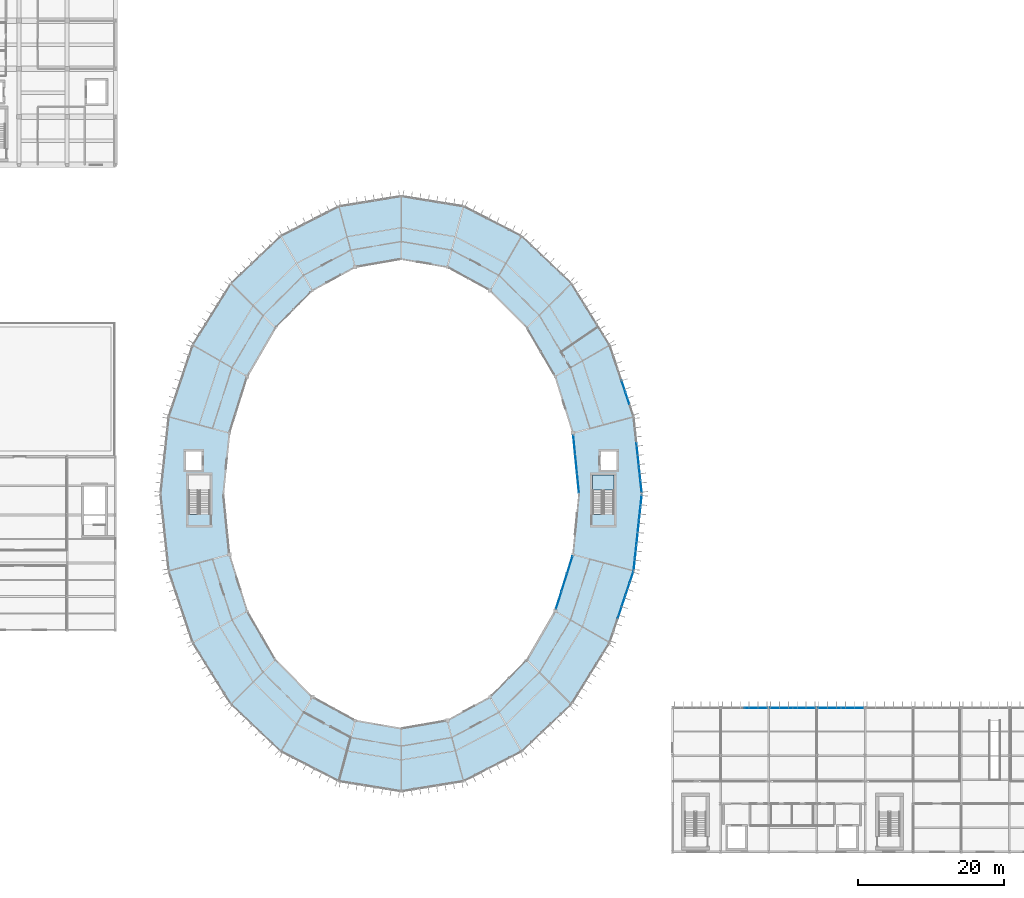
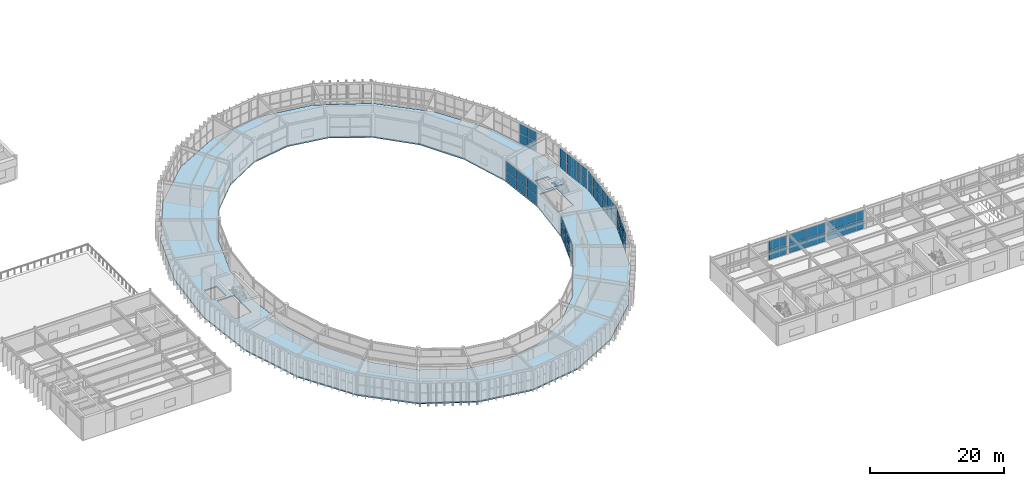
# One storey, part 92 of 130: 54 plates, 2 slabs, 10 elements without a shape of their own.
"""IFC4 building model written with IfcOpenShell, lengths in metres."""

from ifc_helpers import new_model, si_unit, direction, frame, origin, origin_2d, place, context, subcontext, project, spatial, polyline, rectangle, outline, extrude, material, layer, layer_set, type_object, element, aggregate, save


model = new_model("IFC4")

# Units and contexts
model_context = context("Model", 3, precision=1e-05, world=origin(), true_north=direction((0.0, 1.0)))
body_context = subcontext(model_context, "Body", "Model", "MODEL_VIEW")
ifc_project = project(units=[si_unit("LENGTHUNIT", "METRE"), si_unit("AREAUNIT", "SQUARE_METRE"), si_unit("VOLUMEUNIT", "CUBIC_METRE"), si_unit("PLANEANGLEUNIT", "RADIAN"), si_unit("MASSUNIT", "GRAM", prefix="KILO")], contexts=[model_context])

# Site, building, storey
site_placement = place(None, origin())
site = spatial("IfcSite", under=ifc_project, at=site_placement, CompositionType="ELEMENT")
building_placement = place(site_placement, origin())
building = spatial("IfcBuilding", under=site, at=building_placement, Name="Karori Crest Natural Sciences Institute", CompositionType="ELEMENT")
storey_placement = place(building_placement, frame((0.0, 0.0, 17.5)))
storey = spatial("IfcBuildingStorey", under=building, at=storey_placement, Name="L04", CompositionType="ELEMENT", Elevation=17.5)

# Curtain wall, plates
ifc_material_1 = material(Name="Anodised architectural aluminium 6063-T6", Category="aluminium")
curtain_wall_type_1 = type_object("IfcCurtainWallType", Name="CWT-01", PredefinedType="NOTDEFINED", material=ifc_material_1)
curtain_wall_1_placement = place(storey_placement, origin())
curtain_wall_1 = element("IfcCurtainWall", 1, at=curtain_wall_1_placement, inside=storey, type_object=curtain_wall_type_1, Name="Curtain wall CW-0136", PredefinedType="NOTDEFINED")
ifc_material_2 = material(Name="Double low-E laminated glass", Category="glass")
ifc_layer_1 = layer(ifc_material_2, 0.02392578125, Name="Double low-E laminated glass")
ifc_layer_set_1 = layer_set([ifc_layer_1], Name="Double low-E laminated glass")
plate_type_1 = type_object("IfcPlateType", Name="CWP-01", PredefinedType="CURTAIN_PANEL", material=ifc_layer_set_1)
plate_1_placement = place(storey_placement, frame((98.74609375, 56.040283203125, 0.06494140625), z_axis=(0.0, 0.0, 1.0), x_axis=(0.105884496939, -0.994378435661, 0.0)))
plate_1 = element("IfcPlate", 2, at=plate_1_placement, type_object=plate_type_1, Name="CW-0136 panel 3.1", PredefinedType="CURTAIN_PANEL", context=body_context, shape_type="SweptSolid", body=[
    extrude(rectangle(XDim=1.66259765625, YDim=0.02392578125, at=origin_2d()), origin(), (0.0, 0.0, 1.0), 1.715087890625),
])
plate_2_placement = place(storey_placement, frame((98.74609375, 56.040283203125, 1.8447265625), z_axis=(0.0, 0.0, 1.0), x_axis=(0.105884496939, -0.994378435661, 0.0)))
plate_2 = element("IfcPlate", 3, at=plate_2_placement, type_object=plate_type_1, Name="CW-0136 panel 3.2", PredefinedType="CURTAIN_PANEL", context=body_context, shape_type="SweptSolid", body=[
    extrude(rectangle(XDim=1.66259765625, YDim=0.02392578125, at=origin_2d()), origin(), (0.0, 0.0, 1.0), 1.715087890625),
])
plate_3_placement = place(storey_placement, frame((98.92919921875, 54.322509765625, 0.06494140625), z_axis=(0.0, 0.0, 1.0), x_axis=(0.105884496939, -0.994378435661, 0.0)))
plate_3 = element("IfcPlate", 4, at=plate_3_placement, type_object=plate_type_1, Name="CW-0136 panel 4.1", PredefinedType="CURTAIN_PANEL", context=body_context, shape_type="SweptSolid", body=[
    extrude(rectangle(XDim=1.66259765625, YDim=0.02392578125, at=origin_2d()), origin(), (0.0, 0.0, 1.0), 1.715087890625),
])
plate_4_placement = place(storey_placement, frame((98.92919921875, 54.322509765625, 1.8447265625), z_axis=(0.0, 0.0, 1.0), x_axis=(0.105884496939, -0.994378435661, 0.0)))
plate_4 = element("IfcPlate", 5, at=plate_4_placement, type_object=plate_type_1, Name="CW-0136 panel 4.2", PredefinedType="CURTAIN_PANEL", context=body_context, shape_type="SweptSolid", body=[
    extrude(rectangle(XDim=1.66259765625, YDim=0.02392578125, at=origin_2d()), origin(), (0.0, 0.0, 1.0), 1.715087890625),
])
plate_5_placement = place(storey_placement, frame((99.112060546875, 52.604736328125, 0.06494140625), z_axis=(0.0, 0.0, 1.0), x_axis=(0.105884496939, -0.994378435661, 0.0)))
plate_5 = element("IfcPlate", 6, at=plate_5_placement, type_object=plate_type_1, Name="CW-0136 panel 5.1", PredefinedType="CURTAIN_PANEL", context=body_context, shape_type="SweptSolid", body=[
    extrude(rectangle(XDim=1.66259765625, YDim=0.02392578125, at=origin_2d()), origin(), (0.0, 0.0, 1.0), 1.715087890625),
])
plate_6_placement = place(storey_placement, frame((99.112060546875, 52.604736328125, 1.8447265625), z_axis=(0.0, 0.0, 1.0), x_axis=(0.105884496939, -0.994378435661, 0.0)))
plate_6 = element("IfcPlate", 7, at=plate_6_placement, type_object=plate_type_1, Name="CW-0136 panel 5.2", PredefinedType="CURTAIN_PANEL", context=body_context, shape_type="SweptSolid", body=[
    extrude(rectangle(XDim=1.66259765625, YDim=0.02392578125, at=origin_2d()), origin(), (0.0, 0.0, 1.0), 1.715087890625),
])
plate_7_placement = place(storey_placement, frame((99.293212890625, 50.903076171875, 0.06494140625), z_axis=(0.0, 0.0, 1.0), x_axis=(0.105884496939, -0.994378435661, 0.0)))
plate_7 = element("IfcPlate", 8, at=plate_7_placement, type_object=plate_type_1, Name="CW-0136 panel 6.1", PredefinedType="CURTAIN_PANEL", context=body_context, shape_type="SweptSolid", body=[
    extrude(rectangle(XDim=1.630126953125, YDim=0.02392578125, at=origin_2d()), origin(), (0.0, 0.0, 1.0), 1.715087890625),
])
plate_8_placement = place(storey_placement, frame((99.293212890625, 50.903076171875, 1.8447265625), z_axis=(0.0, 0.0, 1.0), x_axis=(0.105884496939, -0.994378435661, 0.0)))
plate_8 = element("IfcPlate", 9, at=plate_8_placement, type_object=plate_type_1, Name="CW-0136 panel 6.2", PredefinedType="CURTAIN_PANEL", context=body_context, shape_type="SweptSolid", body=[
    extrude(rectangle(XDim=1.630126953125, YDim=0.02392578125, at=origin_2d()), origin(), (0.0, 0.0, 1.0), 1.715087890625),
])
aggregate(curtain_wall_1, [plate_1, plate_2, plate_3, plate_4, plate_5, plate_6, plate_7, plate_8])

curtain_wall_type_2 = type_object("IfcCurtainWallType", Name="CWT-11", PredefinedType="NOTDEFINED", material=ifc_material_1)
curtain_wall_2_placement = place(storey_placement, origin())
curtain_wall_2 = element("IfcCurtainWall", 10, at=curtain_wall_2_placement, inside=storey, type_object=curtain_wall_type_2, Name="Curtain wall CW-0137", PredefinedType="NOTDEFINED")
plate_9_placement = place(storey_placement, frame((90.65576171875, 51.345458984375, 0.06005859375), z_axis=(0.0, 0.0, 1.0), x_axis=(-0.099268494275, 0.995060684604, 0.0)))
plate_9 = element("IfcPlate", 11, at=plate_9_placement, type_object=plate_type_1, Name="CW-0137 panel 1.1", PredefinedType="CURTAIN_PANEL", context=body_context, shape_type="SweptSolid", body=[
    extrude(rectangle(XDim=2.568359375, YDim=0.02392578125, at=origin_2d()), origin(), (0.0, 0.0, 1.0), 1.735107421875),
])
plate_10_placement = place(storey_placement, frame((90.65576171875, 51.345458984375, 1.85498046875), z_axis=(0.0, 0.0, 1.0), x_axis=(-0.099268494275, 0.995060684604, 0.0)))
plate_10 = element("IfcPlate", 12, at=plate_10_placement, type_object=plate_type_1, Name="CW-0137 panel 1.2", PredefinedType="CURTAIN_PANEL", context=body_context, shape_type="SweptSolid", body=[
    extrude(rectangle(XDim=2.568359375, YDim=0.02392578125, at=origin_2d()), origin(), (0.0, 0.0, 1.0), 1.735107421875),
])
plate_11_placement = place(storey_placement, frame((90.392822265625, 53.98193359375, 0.06005859375), z_axis=(0.0, 0.0, 1.0), x_axis=(-0.099268494275, 0.995060684604, 0.0)))
plate_11 = element("IfcPlate", 13, at=plate_11_placement, type_object=plate_type_1, Name="CW-0137 panel 2.1", PredefinedType="CURTAIN_PANEL", context=body_context, shape_type="SweptSolid", body=[
    extrude(rectangle(XDim=2.600830078125, YDim=0.02392578125, at=origin_2d()), origin(), (0.0, 0.0, 1.0), 1.735107421875),
])
plate_12_placement = place(storey_placement, frame((90.392822265625, 53.98193359375, 1.85498046875), z_axis=(0.0, 0.0, 1.0), x_axis=(-0.099268494275, 0.995060684604, 0.0)))
plate_12 = element("IfcPlate", 14, at=plate_12_placement, type_object=plate_type_1, Name="CW-0137 panel 2.2", PredefinedType="CURTAIN_PANEL", context=body_context, shape_type="SweptSolid", body=[
    extrude(rectangle(XDim=2.600830078125, YDim=0.02392578125, at=origin_2d()), origin(), (0.0, 0.0, 1.0), 1.735107421875),
])
plate_13_placement = place(storey_placement, frame((90.129638671875, 56.618408203125, 0.06005859375), z_axis=(0.0, 0.0, 1.0), x_axis=(-0.099268494275, 0.995060684604, 0.0)))
plate_13 = element("IfcPlate", 15, at=plate_13_placement, type_object=plate_type_1, Name="CW-0137 panel 3.1", PredefinedType="CURTAIN_PANEL", context=body_context, shape_type="SweptSolid", body=[
    extrude(rectangle(XDim=2.568359375, YDim=0.02392578125, at=origin_2d()), origin(), (0.0, 0.0, 1.0), 1.735107421875),
])
plate_14_placement = place(storey_placement, frame((90.129638671875, 56.618408203125, 1.85498046875), z_axis=(0.0, 0.0, 1.0), x_axis=(-0.099268494275, 0.995060684604, 0.0)))
plate_14 = element("IfcPlate", 16, at=plate_14_placement, type_object=plate_type_1, Name="CW-0137 panel 3.2", PredefinedType="CURTAIN_PANEL", context=body_context, shape_type="SweptSolid", body=[
    extrude(rectangle(XDim=2.568359375, YDim=0.02392578125, at=origin_2d()), origin(), (0.0, 0.0, 1.0), 1.735107421875),
])
aggregate(curtain_wall_2, [plate_9, plate_10, plate_11, plate_12, plate_13, plate_14])

curtain_wall_type_3 = type_object("IfcCurtainWallType", Name="CWT-13", PredefinedType="NOTDEFINED", material=ifc_material_1)
curtain_wall_3_placement = place(storey_placement, origin())
curtain_wall_3 = element("IfcCurtainWall", 17, at=curtain_wall_3_placement, inside=storey, type_object=curtain_wall_type_3, Name="Curtain wall CW-0170", PredefinedType="NOTDEFINED")
plate_15_placement = place(storey_placement, frame((88.003173828125, 35.304443359375, 0.06005859375), z_axis=(0.0, 0.0, 1.0), x_axis=(0.299475254154, 0.954104067778, 0.0)))
plate_15 = element("IfcPlate", 18, at=plate_15_placement, type_object=plate_type_1, Name="CW-0170 panel 1.1", PredefinedType="CURTAIN_PANEL", context=body_context, shape_type="SweptSolid", body=[
    extrude(rectangle(XDim=2.451171875, YDim=0.02392578125, at=origin_2d()), origin(), (0.0, 0.0, 1.0), 1.735107421875),
])
plate_16_placement = place(storey_placement, frame((88.003173828125, 35.304443359375, 1.85498046875), z_axis=(0.0, 0.0, 1.0), x_axis=(0.299475254154, 0.954104067778, 0.0)))
plate_16 = element("IfcPlate", 19, at=plate_16_placement, type_object=plate_type_1, Name="CW-0170 panel 1.2", PredefinedType="CURTAIN_PANEL", context=body_context, shape_type="SweptSolid", body=[
    extrude(rectangle(XDim=2.451171875, YDim=0.02392578125, at=origin_2d()), origin(), (0.0, 0.0, 1.0), 1.735107421875),
])
plate_17_placement = place(storey_placement, frame((88.761474609375, 37.720458984375, 0.06005859375), z_axis=(0.0, 0.0, 1.0), x_axis=(0.299475254154, 0.954104067778, 0.0)))
plate_17 = element("IfcPlate", 20, at=plate_17_placement, type_object=plate_type_1, Name="CW-0170 panel 2.1", PredefinedType="CURTAIN_PANEL", context=body_context, shape_type="SweptSolid", body=[
    extrude(rectangle(XDim=2.483642578125, YDim=0.02392578125, at=origin_2d()), origin(), (0.0, 0.0, 1.0), 1.735107421875),
])
plate_18_placement = place(storey_placement, frame((88.761474609375, 37.720458984375, 1.85498046875), z_axis=(0.0, 0.0, 1.0), x_axis=(0.299475254154, 0.954104067778, 0.0)))
plate_18 = element("IfcPlate", 21, at=plate_18_placement, type_object=plate_type_1, Name="CW-0170 panel 2.2", PredefinedType="CURTAIN_PANEL", context=body_context, shape_type="SweptSolid", body=[
    extrude(rectangle(XDim=2.483642578125, YDim=0.02392578125, at=origin_2d()), origin(), (0.0, 0.0, 1.0), 1.735107421875),
])
plate_19_placement = place(storey_placement, frame((89.52001953125, 40.136474609375, 0.06005859375), z_axis=(0.0, 0.0, 1.0), x_axis=(0.299475254154, 0.954104067778, 0.0)))
plate_19 = element("IfcPlate", 22, at=plate_19_placement, type_object=plate_type_1, Name="CW-0170 panel 3.1", PredefinedType="CURTAIN_PANEL", context=body_context, shape_type="SweptSolid", body=[
    extrude(rectangle(XDim=2.451171875, YDim=0.02392578125, at=origin_2d()), origin(), (0.0, 0.0, 1.0), 1.735107421875),
])
plate_20_placement = place(storey_placement, frame((89.52001953125, 40.136474609375, 1.85498046875), z_axis=(0.0, 0.0, 1.0), x_axis=(0.299475254154, 0.954104067778, 0.0)))
plate_20 = element("IfcPlate", 23, at=plate_20_placement, type_object=plate_type_1, Name="CW-0170 panel 3.2", PredefinedType="CURTAIN_PANEL", context=body_context, shape_type="SweptSolid", body=[
    extrude(rectangle(XDim=2.451171875, YDim=0.02392578125, at=origin_2d()), origin(), (0.0, 0.0, 1.0), 1.735107421875),
])
aggregate(curtain_wall_3, [plate_15, plate_16, plate_17, plate_18, plate_19, plate_20])

curtain_wall_type_4 = type_object("IfcCurtainWallType", Name="CWT-20", PredefinedType="NOTDEFINED", material=ifc_material_1)
curtain_wall_4_placement = place(storey_placement, origin())
curtain_wall_4 = element("IfcCurtainWall", 24, at=curtain_wall_4_placement, inside=storey, type_object=curtain_wall_type_4, Name="Curtain wall CW-0332", PredefinedType="NOTDEFINED")
plate_21_placement = place(storey_placement, frame((115.056884765625, 20.5400390625, 0.06005859375), z_axis=(0.0, 0.0, 1.0), x_axis=(1.0, 0.0, 0.0)))
plate_21 = element("IfcPlate", 25, at=plate_21_placement, type_object=plate_type_1, Name="CW-0332 panel 2.1", PredefinedType="CURTAIN_PANEL", context=body_context, shape_type="SweptSolid", body=[
    extrude(rectangle(XDim=3.049072265625, YDim=0.02392578125, at=origin_2d()), origin(), (0.0, 0.0, 1.0), 1.66259765625),
])
plate_22_placement = place(storey_placement, frame((115.056884765625, 20.5400390625, 1.782470703125), z_axis=(0.0, 0.0, 1.0), x_axis=(1.0, 0.0, 0.0)))
plate_22 = element("IfcPlate", 26, at=plate_22_placement, type_object=plate_type_1, Name="CW-0332 panel 2.2", PredefinedType="CURTAIN_PANEL", context=body_context, shape_type="SweptSolid", body=[
    extrude(rectangle(XDim=3.049072265625, YDim=0.02392578125, at=origin_2d()), origin(), (0.0, 0.0, 1.0), 1.66259765625),
])
aggregate(curtain_wall_4, [plate_21, plate_22])

curtain_wall_5_placement = place(storey_placement, origin())
curtain_wall_5 = element("IfcCurtainWall", 27, at=curtain_wall_5_placement, inside=storey, type_object=curtain_wall_type_4, Name="Curtain wall CW-0333", PredefinedType="NOTDEFINED")
plate_23_placement = place(storey_placement, frame((118.54296875, 20.5400390625, 0.06005859375), z_axis=(0.0, 0.0, 1.0), x_axis=(1.0, 0.0, 0.0)))
plate_23 = element("IfcPlate", 28, at=plate_23_placement, type_object=plate_type_1, Name="CW-0333 panel 1.1", PredefinedType="CURTAIN_PANEL", context=body_context, shape_type="SweptSolid", body=[
    extrude(rectangle(XDim=3.049072265625, YDim=0.02392578125, at=origin_2d()), origin(), (0.0, 0.0, 1.0), 1.66259765625),
])
plate_24_placement = place(storey_placement, frame((118.54296875, 20.5400390625, 1.782470703125), z_axis=(0.0, 0.0, 1.0), x_axis=(1.0, 0.0, 0.0)))
plate_24 = element("IfcPlate", 29, at=plate_24_placement, type_object=plate_type_1, Name="CW-0333 panel 1.2", PredefinedType="CURTAIN_PANEL", context=body_context, shape_type="SweptSolid", body=[
    extrude(rectangle(XDim=3.049072265625, YDim=0.02392578125, at=origin_2d()), origin(), (0.0, 0.0, 1.0), 1.66259765625),
])
plate_25_placement = place(storey_placement, frame((121.656982421875, 20.5400390625, 0.06005859375), z_axis=(0.0, 0.0, 1.0), x_axis=(1.0, 0.0, 0.0)))
plate_25 = element("IfcPlate", 30, at=plate_25_placement, type_object=plate_type_1, Name="CW-0333 panel 2.1", PredefinedType="CURTAIN_PANEL", context=body_context, shape_type="SweptSolid", body=[
    extrude(rectangle(XDim=3.049072265625, YDim=0.02392578125, at=origin_2d()), origin(), (0.0, 0.0, 1.0), 1.66259765625),
])
plate_26_placement = place(storey_placement, frame((121.656982421875, 20.5400390625, 1.782470703125), z_axis=(0.0, 0.0, 1.0), x_axis=(1.0, 0.0, 0.0)))
plate_26 = element("IfcPlate", 31, at=plate_26_placement, type_object=plate_type_1, Name="CW-0333 panel 2.2", PredefinedType="CURTAIN_PANEL", context=body_context, shape_type="SweptSolid", body=[
    extrude(rectangle(XDim=3.049072265625, YDim=0.02392578125, at=origin_2d()), origin(), (0.0, 0.0, 1.0), 1.66259765625),
])
aggregate(curtain_wall_5, [plate_23, plate_24, plate_25, plate_26])

curtain_wall_6_placement = place(storey_placement, origin())
curtain_wall_6 = element("IfcCurtainWall", 32, at=curtain_wall_6_placement, inside=storey, type_object=curtain_wall_type_4, Name="Curtain wall CW-0334", PredefinedType="NOTDEFINED")
plate_27_placement = place(storey_placement, frame((125.14306640625, 20.5400390625, 0.06005859375), z_axis=(0.0, 0.0, 1.0), x_axis=(1.0, 0.0, 0.0)))
plate_27 = element("IfcPlate", 33, at=plate_27_placement, type_object=plate_type_1, Name="CW-0334 panel 1.1", PredefinedType="CURTAIN_PANEL", context=body_context, shape_type="SweptSolid", body=[
    extrude(rectangle(XDim=3.049072265625, YDim=0.02392578125, at=origin_2d()), origin(), (0.0, 0.0, 1.0), 1.66259765625),
])
plate_28_placement = place(storey_placement, frame((125.14306640625, 20.5400390625, 1.782470703125), z_axis=(0.0, 0.0, 1.0), x_axis=(1.0, 0.0, 0.0)))
plate_28 = element("IfcPlate", 34, at=plate_28_placement, type_object=plate_type_1, Name="CW-0334 panel 1.2", PredefinedType="CURTAIN_PANEL", context=body_context, shape_type="SweptSolid", body=[
    extrude(rectangle(XDim=3.049072265625, YDim=0.02392578125, at=origin_2d()), origin(), (0.0, 0.0, 1.0), 1.66259765625),
])
plate_29_placement = place(storey_placement, frame((128.257080078125, 20.5400390625, 0.06005859375), z_axis=(0.0, 0.0, 1.0), x_axis=(1.0, 0.0, 0.0)))
plate_29 = element("IfcPlate", 35, at=plate_29_placement, type_object=plate_type_1, Name="CW-0334 panel 2.1", PredefinedType="CURTAIN_PANEL", context=body_context, shape_type="SweptSolid", body=[
    extrude(rectangle(XDim=3.049072265625, YDim=0.02392578125, at=origin_2d()), origin(), (0.0, 0.0, 1.0), 1.66259765625),
])
plate_30_placement = place(storey_placement, frame((128.257080078125, 20.5400390625, 1.782470703125), z_axis=(0.0, 0.0, 1.0), x_axis=(1.0, 0.0, 0.0)))
plate_30 = element("IfcPlate", 36, at=plate_30_placement, type_object=plate_type_1, Name="CW-0334 panel 2.2", PredefinedType="CURTAIN_PANEL", context=body_context, shape_type="SweptSolid", body=[
    extrude(rectangle(XDim=3.049072265625, YDim=0.02392578125, at=origin_2d()), origin(), (0.0, 0.0, 1.0), 1.66259765625),
])
aggregate(curtain_wall_6, [plate_27, plate_28, plate_29, plate_30])

curtain_wall_type_5 = type_object("IfcCurtainWallType", Name="CWT-02", PredefinedType="NOTDEFINED", material=ifc_material_1)
curtain_wall_7_placement = place(storey_placement, origin())
curtain_wall_7 = element("IfcCurtainWall", 37, at=curtain_wall_7_placement, inside=storey, type_object=curtain_wall_type_5, Name="Curtain wall CW-0138", PredefinedType="NOTDEFINED")
ifc_layer_2 = layer(ifc_material_2, 0.033935546875, Name="Double low-E laminated glass")
ifc_layer_set_2 = layer_set([ifc_layer_2], Name="Double low-E laminated glass")
plate_type_2 = type_object("IfcPlateType", Name="CWP-02", PredefinedType="CURTAIN_PANEL", material=ifc_layer_set_2)
plate_31_placement = place(storey_placement, frame((96.888427734375, 64.599853515625, 0.06005859375), z_axis=(0.0, 0.0, 1.0), x_axis=(0.317679803392, -0.94819805026, 0.0)))
plate_31 = element("IfcPlate", 38, at=plate_31_placement, type_object=plate_type_2, Name="CW-0138 panel 4.1", PredefinedType="CURTAIN_PANEL", context=body_context, shape_type="SweptSolid", body=[
    extrude(rectangle(XDim=1.628662109375, YDim=0.033935546875, at=origin_2d()), origin(), (0.0, 0.0, 1.0), 1.722412109375),
])
plate_32_placement = place(storey_placement, frame((96.888427734375, 64.599853515625, 1.8427734375), z_axis=(0.0, 0.0, 1.0), x_axis=(0.317679803392, -0.94819805026, 0.0)))
plate_32 = element("IfcPlate", 39, at=plate_32_placement, type_object=plate_type_2, Name="CW-0138 panel 4.2", PredefinedType="CURTAIN_PANEL", context=body_context, shape_type="SweptSolid", body=[
    extrude(rectangle(XDim=1.628662109375, YDim=0.033935546875, at=origin_2d()), origin(), (0.0, 0.0, 1.0), 1.722412109375),
])
plate_33_placement = place(storey_placement, frame((97.426513671875, 62.993896484375, 0.06005859375), z_axis=(0.0, 0.0, 1.0), x_axis=(0.317679803392, -0.94819805026, 0.0)))
plate_33 = element("IfcPlate", 40, at=plate_33_placement, type_object=plate_type_2, Name="CW-0138 panel 5.1", PredefinedType="CURTAIN_PANEL", context=body_context, shape_type="SweptSolid", body=[
    extrude(rectangle(XDim=1.628662109375, YDim=0.033935546875, at=origin_2d()), origin(), (0.0, 0.0, 1.0), 1.722412109375),
])
plate_34_placement = place(storey_placement, frame((97.426513671875, 62.993896484375, 1.8427734375), z_axis=(0.0, 0.0, 1.0), x_axis=(0.317679803392, -0.94819805026, 0.0)))
plate_34 = element("IfcPlate", 41, at=plate_34_placement, type_object=plate_type_2, Name="CW-0138 panel 5.2", PredefinedType="CURTAIN_PANEL", context=body_context, shape_type="SweptSolid", body=[
    extrude(rectangle(XDim=1.628662109375, YDim=0.033935546875, at=origin_2d()), origin(), (0.0, 0.0, 1.0), 1.722412109375),
])
aggregate(curtain_wall_7, [plate_31, plate_32, plate_33, plate_34])

curtain_wall_type_6 = type_object("IfcCurtainWallType", Name="CWT-03", PredefinedType="NOTDEFINED", material=ifc_material_1)
curtain_wall_8_placement = place(storey_placement, origin())
curtain_wall_8 = element("IfcCurtainWall", 42, at=curtain_wall_8_placement, inside=storey, type_object=curtain_wall_type_6, Name="Curtain wall CW-0169", PredefinedType="NOTDEFINED")
plate_35_placement = place(storey_placement, frame((97.974853515625, 38.442626953125, 0.06494140625), z_axis=(0.0, 0.0, 1.0), x_axis=(-0.317679803392, -0.94819805026, 0.0)))
plate_35 = element("IfcPlate", 43, at=plate_35_placement, type_object=plate_type_2, Name="CW-0169 panel 1.1", PredefinedType="CURTAIN_PANEL", context=body_context, shape_type="SweptSolid", body=[
    extrude(rectangle(XDim=1.59619140625, YDim=0.033935546875, at=origin_2d()), origin(), (0.0, 0.0, 1.0), 1.715087890625),
])
plate_36_placement = place(storey_placement, frame((97.974853515625, 38.442626953125, 1.8447265625), z_axis=(0.0, 0.0, 1.0), x_axis=(-0.317679803392, -0.94819805026, 0.0)))
plate_36 = element("IfcPlate", 44, at=plate_36_placement, type_object=plate_type_2, Name="CW-0169 panel 1.2", PredefinedType="CURTAIN_PANEL", context=body_context, shape_type="SweptSolid", body=[
    extrude(rectangle(XDim=1.59619140625, YDim=0.033935546875, at=origin_2d()), origin(), (0.0, 0.0, 1.0), 1.715087890625),
])
plate_37_placement = place(storey_placement, frame((97.44189453125, 36.85205078125, 0.06494140625), z_axis=(0.0, 0.0, 1.0), x_axis=(-0.317679803392, -0.94819805026, 0.0)))
plate_37 = element("IfcPlate", 45, at=plate_37_placement, type_object=plate_type_2, Name="CW-0169 panel 2.1", PredefinedType="CURTAIN_PANEL", context=body_context, shape_type="SweptSolid", body=[
    extrude(rectangle(XDim=1.628662109375, YDim=0.033935546875, at=origin_2d()), origin(), (0.0, 0.0, 1.0), 1.715087890625),
])
plate_38_placement = place(storey_placement, frame((97.44189453125, 36.85205078125, 1.8447265625), z_axis=(0.0, 0.0, 1.0), x_axis=(-0.317679803392, -0.94819805026, 0.0)))
plate_38 = element("IfcPlate", 46, at=plate_38_placement, type_object=plate_type_2, Name="CW-0169 panel 2.2", PredefinedType="CURTAIN_PANEL", context=body_context, shape_type="SweptSolid", body=[
    extrude(rectangle(XDim=1.628662109375, YDim=0.033935546875, at=origin_2d()), origin(), (0.0, 0.0, 1.0), 1.715087890625),
])
plate_39_placement = place(storey_placement, frame((96.904052734375, 35.24609375, 0.06494140625), z_axis=(0.0, 0.0, 1.0), x_axis=(-0.317679803392, -0.94819805026, 0.0)))
plate_39 = element("IfcPlate", 47, at=plate_39_placement, type_object=plate_type_2, Name="CW-0169 panel 3.1", PredefinedType="CURTAIN_PANEL", context=body_context, shape_type="SweptSolid", body=[
    extrude(rectangle(XDim=1.628662109375, YDim=0.033935546875, at=origin_2d()), origin(), (0.0, 0.0, 1.0), 1.715087890625),
])
plate_40_placement = place(storey_placement, frame((96.904052734375, 35.24609375, 1.8447265625), z_axis=(0.0, 0.0, 1.0), x_axis=(-0.317679803392, -0.94819805026, 0.0)))
plate_40 = element("IfcPlate", 48, at=plate_40_placement, type_object=plate_type_2, Name="CW-0169 panel 3.2", PredefinedType="CURTAIN_PANEL", context=body_context, shape_type="SweptSolid", body=[
    extrude(rectangle(XDim=1.628662109375, YDim=0.033935546875, at=origin_2d()), origin(), (0.0, 0.0, 1.0), 1.715087890625),
])
plate_41_placement = place(storey_placement, frame((96.365966796875, 33.64013671875, 0.06494140625), z_axis=(0.0, 0.0, 1.0), x_axis=(-0.317679803392, -0.94819805026, 0.0)))
plate_41 = element("IfcPlate", 49, at=plate_41_placement, type_object=plate_type_2, Name="CW-0169 panel 4.1", PredefinedType="CURTAIN_PANEL", context=body_context, shape_type="SweptSolid", body=[
    extrude(rectangle(XDim=1.628662109375, YDim=0.033935546875, at=origin_2d()), origin(), (0.0, 0.0, 1.0), 1.715087890625),
])
plate_42_placement = place(storey_placement, frame((96.365966796875, 33.64013671875, 1.8447265625), z_axis=(0.0, 0.0, 1.0), x_axis=(-0.317679803392, -0.94819805026, 0.0)))
plate_42 = element("IfcPlate", 50, at=plate_42_placement, type_object=plate_type_2, Name="CW-0169 panel 4.2", PredefinedType="CURTAIN_PANEL", context=body_context, shape_type="SweptSolid", body=[
    extrude(rectangle(XDim=1.628662109375, YDim=0.033935546875, at=origin_2d()), origin(), (0.0, 0.0, 1.0), 1.715087890625),
])
aggregate(curtain_wall_8, [plate_35, plate_36, plate_37, plate_38, plate_39, plate_40, plate_41, plate_42])

curtain_wall_type_7 = type_object("IfcCurtainWallType", Name="CWT-04", PredefinedType="NOTDEFINED", material=ifc_material_1)
curtain_wall_9_placement = place(storey_placement, origin())
curtain_wall_9 = element("IfcCurtainWall", 51, at=curtain_wall_9_placement, inside=storey, type_object=curtain_wall_type_7, Name="Curtain wall CW-0171", PredefinedType="NOTDEFINED")
ifc_layer_3 = layer(ifc_material_2, 0.0439453125, Name="Double low-E laminated glass")
ifc_layer_set_3 = layer_set([ifc_layer_3], Name="Double low-E laminated glass")
plate_type_3 = type_object("IfcPlateType", Name="CWP-03", PredefinedType="CURTAIN_PANEL", material=ifc_layer_set_3)
plate_43_placement = place(storey_placement, frame((99.292724609375, 48.89306640625, 0.06005859375), z_axis=(0.0, 0.0, 1.0), x_axis=(-0.105885677057, -0.994378309998, 0.0)))
plate_43 = element("IfcPlate", 52, at=plate_43_placement, type_object=plate_type_3, Name="CW-0171 panel 1.1", PredefinedType="CURTAIN_PANEL", context=body_context, shape_type="SweptSolid", body=[
    extrude(rectangle(XDim=1.6376953125, YDim=0.0439453125, at=origin_2d()), origin(), (0.0, 0.0, 1.0), 1.722412109375),
])
plate_44_placement = place(storey_placement, frame((99.292724609375, 48.89306640625, 1.8427734375), z_axis=(0.0, 0.0, 1.0), x_axis=(-0.105885677057, -0.994378309998, 0.0)))
plate_44 = element("IfcPlate", 53, at=plate_44_placement, type_object=plate_type_3, Name="CW-0171 panel 1.2", PredefinedType="CURTAIN_PANEL", context=body_context, shape_type="SweptSolid", body=[
    extrude(rectangle(XDim=1.6376953125, YDim=0.0439453125, at=origin_2d()), origin(), (0.0, 0.0, 1.0), 1.722412109375),
])
plate_45_placement = place(storey_placement, frame((99.11083984375, 47.183837890625, 0.06005859375), z_axis=(0.0, 0.0, 1.0), x_axis=(-0.105885677057, -0.994378309998, 0.0)))
plate_45 = element("IfcPlate", 54, at=plate_45_placement, type_object=plate_type_3, Name="CW-0171 panel 2.1", PredefinedType="CURTAIN_PANEL", context=body_context, shape_type="SweptSolid", body=[
    extrude(rectangle(XDim=1.670166015625, YDim=0.0439453125, at=origin_2d()), origin(), (0.0, 0.0, 1.0), 1.722412109375),
])
plate_46_placement = place(storey_placement, frame((99.11083984375, 47.183837890625, 1.8427734375), z_axis=(0.0, 0.0, 1.0), x_axis=(-0.105885677057, -0.994378309998, 0.0)))
plate_46 = element("IfcPlate", 55, at=plate_46_placement, type_object=plate_type_3, Name="CW-0171 panel 2.2", PredefinedType="CURTAIN_PANEL", context=body_context, shape_type="SweptSolid", body=[
    extrude(rectangle(XDim=1.670166015625, YDim=0.0439453125, at=origin_2d()), origin(), (0.0, 0.0, 1.0), 1.722412109375),
])
plate_47_placement = place(storey_placement, frame((98.927001953125, 45.45849609375, 0.06005859375), z_axis=(0.0, 0.0, 1.0), x_axis=(-0.105885677057, -0.994378309998, 0.0)))
plate_47 = element("IfcPlate", 56, at=plate_47_placement, type_object=plate_type_3, Name="CW-0171 panel 3.1", PredefinedType="CURTAIN_PANEL", context=body_context, shape_type="SweptSolid", body=[
    extrude(rectangle(XDim=1.670166015625, YDim=0.0439453125, at=origin_2d()), origin(), (0.0, 0.0, 1.0), 1.722412109375),
])
plate_48_placement = place(storey_placement, frame((98.927001953125, 45.45849609375, 1.8427734375), z_axis=(0.0, 0.0, 1.0), x_axis=(-0.105885677057, -0.994378309998, 0.0)))
plate_48 = element("IfcPlate", 57, at=plate_48_placement, type_object=plate_type_3, Name="CW-0171 panel 3.2", PredefinedType="CURTAIN_PANEL", context=body_context, shape_type="SweptSolid", body=[
    extrude(rectangle(XDim=1.670166015625, YDim=0.0439453125, at=origin_2d()), origin(), (0.0, 0.0, 1.0), 1.722412109375),
])
plate_49_placement = place(storey_placement, frame((98.743408203125, 43.73291015625, 0.06005859375), z_axis=(0.0, 0.0, 1.0), x_axis=(-0.105885677057, -0.994378309998, 0.0)))
plate_49 = element("IfcPlate", 58, at=plate_49_placement, type_object=plate_type_3, Name="CW-0171 panel 4.1", PredefinedType="CURTAIN_PANEL", context=body_context, shape_type="SweptSolid", body=[
    extrude(rectangle(XDim=1.670166015625, YDim=0.0439453125, at=origin_2d()), origin(), (0.0, 0.0, 1.0), 1.722412109375),
])
plate_50_placement = place(storey_placement, frame((98.743408203125, 43.73291015625, 1.8427734375), z_axis=(0.0, 0.0, 1.0), x_axis=(-0.105885677057, -0.994378309998, 0.0)))
plate_50 = element("IfcPlate", 59, at=plate_50_placement, type_object=plate_type_3, Name="CW-0171 panel 4.2", PredefinedType="CURTAIN_PANEL", context=body_context, shape_type="SweptSolid", body=[
    extrude(rectangle(XDim=1.670166015625, YDim=0.0439453125, at=origin_2d()), origin(), (0.0, 0.0, 1.0), 1.722412109375),
])
plate_51_placement = place(storey_placement, frame((98.5595703125, 42.007568359375, 0.06005859375), z_axis=(0.0, 0.0, 1.0), x_axis=(-0.105885677057, -0.994378309998, 0.0)))
plate_51 = element("IfcPlate", 60, at=plate_51_placement, type_object=plate_type_3, Name="CW-0171 panel 5.1", PredefinedType="CURTAIN_PANEL", context=body_context, shape_type="SweptSolid", body=[
    extrude(rectangle(XDim=1.670166015625, YDim=0.0439453125, at=origin_2d()), origin(), (0.0, 0.0, 1.0), 1.722412109375),
])
plate_52_placement = place(storey_placement, frame((98.5595703125, 42.007568359375, 1.8427734375), z_axis=(0.0, 0.0, 1.0), x_axis=(-0.105885677057, -0.994378309998, 0.0)))
plate_52 = element("IfcPlate", 61, at=plate_52_placement, type_object=plate_type_3, Name="CW-0171 panel 5.2", PredefinedType="CURTAIN_PANEL", context=body_context, shape_type="SweptSolid", body=[
    extrude(rectangle(XDim=1.670166015625, YDim=0.0439453125, at=origin_2d()), origin(), (0.0, 0.0, 1.0), 1.722412109375),
])
plate_53_placement = place(storey_placement, frame((98.377685546875, 40.298095703125, 0.06005859375), z_axis=(0.0, 0.0, 1.0), x_axis=(-0.105885677057, -0.994378309998, 0.0)))
plate_53 = element("IfcPlate", 62, at=plate_53_placement, type_object=plate_type_3, Name="CW-0171 panel 6.1", PredefinedType="CURTAIN_PANEL", context=body_context, shape_type="SweptSolid", body=[
    extrude(rectangle(XDim=1.6376953125, YDim=0.0439453125, at=origin_2d()), origin(), (0.0, 0.0, 1.0), 1.722412109375),
])
plate_54_placement = place(storey_placement, frame((98.377685546875, 40.298095703125, 1.8427734375), z_axis=(0.0, 0.0, 1.0), x_axis=(-0.105885677057, -0.994378309998, 0.0)))
plate_54 = element("IfcPlate", 63, at=plate_54_placement, type_object=plate_type_3, Name="CW-0171 panel 6.2", PredefinedType="CURTAIN_PANEL", context=body_context, shape_type="SweptSolid", body=[
    extrude(rectangle(XDim=1.6376953125, YDim=0.0439453125, at=origin_2d()), origin(), (0.0, 0.0, 1.0), 1.722412109375),
])
aggregate(curtain_wall_9, [plate_43, plate_44, plate_45, plate_46, plate_47, plate_48, plate_49, plate_50, plate_51, plate_52, plate_53, plate_54])

# Slab
ifc_material_3 = material(Name="Concrete 40 MPa", Category="concrete")
ifc_layer_4 = layer(ifc_material_3, 0.219970703125, Name="Concrete 40 MPa")
ifc_layer_set_4 = layer_set([ifc_layer_4], Name="Concrete 40 MPa")
slab_type_1 = type_object("IfcSlabType", Name="SLT-07", PredefinedType="FLOOR", material=ifc_layer_set_4)
slab_1_placement = place(storey_placement, frame((0.0, 0.0, -0.219970703125)))
element("IfcSlab", 64, at=slab_1_placement, inside=storey, type_object=slab_type_1, Name="V1 Slab SL-0006", PredefinedType="FLOOR", context=body_context, shape_type="SweptSolid", body=[
    extrude(outline(polyline([(99.39990234375, 49.89990234375), (98.275634765625, 60.459716796875), (94.978759765625, 70.300048828125), (89.734619140625, 78.75), (82.89990234375, 85.23388671875), (74.94091796875, 89.309814453125), (66.39990234375, 90.699951171875), (57.85888671875, 89.309814453125), (49.89990234375, 85.23388671875), (43.0654296875, 78.75), (37.8212890625, 70.300048828125), (34.5244140625, 60.459716796875), (33.39990234375, 49.89990234375), (34.5244140625, 39.340087890625), (37.8212890625, 29.5), (43.0654296875, 21.050048828125), (49.89990234375, 14.566162109375), (57.85888671875, 10.490234375), (66.39990234375, 9.10009765625), (74.94091796875, 10.490234375), (82.89990234375, 14.566162109375), (89.734619140625, 21.050048828125), (94.978759765625, 29.5), (98.275634765625, 39.340087890625), (99.39990234375, 49.89990234375)]), holes=[polyline([(89.968505859375, 41.56591796875), (87.531005859375, 33.800048828125), (83.6533203125, 27.131103515625), (78.60009765625, 22.013916015625), (72.715087890625, 18.797119140625), (66.39990234375, 17.699951171875), (60.084716796875, 18.797119140625), (54.199951171875, 22.013916015625), (49.146484375, 27.131103515625), (45.26904296875, 33.800048828125), (42.831298828125, 41.56591796875), (42.0, 49.89990234375), (42.831298828125, 58.23388671875), (45.26904296875, 66.0), (49.146484375, 72.668701171875), (54.199951171875, 77.785888671875), (60.084716796875, 81.002685546875), (66.39990234375, 82.10009765625), (72.715087890625, 81.002685546875), (78.60009765625, 77.785888671875), (83.6533203125, 72.668701171875), (87.531005859375, 66.0), (89.968505859375, 58.23388671875), (90.800048828125, 49.89990234375), (89.968505859375, 41.56591796875)]), polyline([(95.550048828125, 47.3798828125), (94.10009765625, 47.3798828125), (94.10009765625, 47.1005859375), (92.64990234375, 47.1005859375), (92.64990234375, 52.5), (95.550048828125, 52.5), (95.550048828125, 47.3798828125)]), polyline([(40.14990234375, 47.3798828125), (38.699951171875, 47.3798828125), (38.699951171875, 47.1005859375), (37.25, 47.1005859375), (37.25, 52.5), (40.14990234375, 52.5), (40.14990234375, 47.3798828125)]), polyline([(93.72509765625, 55.77490234375), (95.97509765625, 55.77490234375), (95.97509765625, 53.02490234375), (93.72509765625, 53.02490234375), (93.72509765625, 55.77490234375)]), polyline([(36.824951171875, 55.77490234375), (39.074951171875, 55.77490234375), (39.074951171875, 53.02490234375), (36.824951171875, 53.02490234375), (36.824951171875, 55.77490234375)])]), origin(), (0.0, 0.0, 1.0), 0.219970703125),
])

# Stair, slab
stair_type = type_object("IfcStairType", Name="STT-01", PredefinedType="HALF_TURN_STAIR", material=ifc_material_3)
stair_placement = place(storey_placement, origin())
stair = element("IfcStair", 65, at=stair_placement, inside=storey, type_object=stair_type, Name="Protected stair ST-01-L04", PredefinedType="HALF_TURN_STAIR")
ifc_layer_5 = layer(ifc_material_3, 0.2099609375, Name="Concrete 40 MPa")
ifc_layer_set_5 = layer_set([ifc_layer_5], Name="Concrete 40 MPa")
slab_type_2 = type_object("IfcSlabType", Name="SLT-11", PredefinedType="LANDING", material=ifc_layer_set_5)
slab_2_placement = place(storey_placement, frame((0.0, 0.0, 1.889892578125)))
slab_2 = element("IfcSlab", 66, at=slab_2_placement, type_object=slab_type_2, Name="ST-01-L04 landing 1", PredefinedType="LANDING", context=body_context, shape_type="SweptSolid", body=[
    extrude(outline(polyline([(95.550048828125, 50.39990234375), (95.550048828125, 52.5), (92.64990234375, 52.5), (92.64990234375, 50.39990234375), (95.550048828125, 50.39990234375)])), origin(), (0.0, 0.0, 1.0), 0.210205078125),
])
aggregate(stair, [slab_2])

save(model, "model.ifc")
